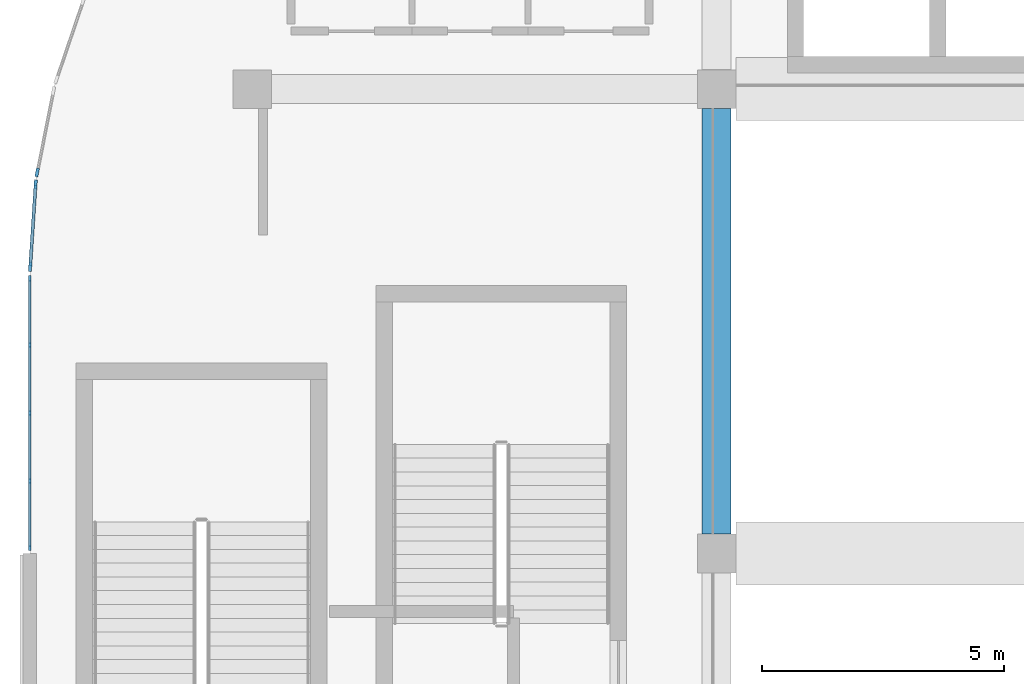
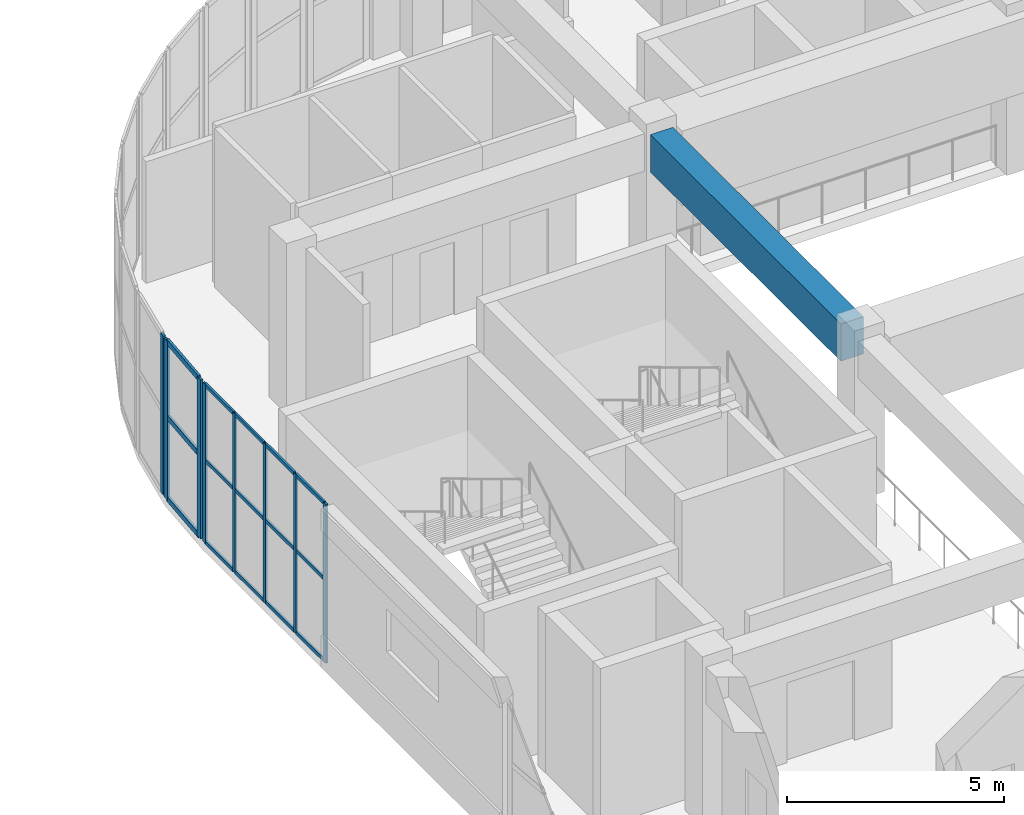
# One storey, part 5 of 33: 23 members, 1 beam, 3 elements without a shape of their own.
"""IFC4 building model written with IfcOpenShell, lengths in metres."""

from ifc_helpers import new_model, si_unit, direction, frame, origin, origin_2d, place, context, subcontext, project, spatial, rectangle, extrude, material, layer, layer_set, material_profile, profile_set, type_object, element, aggregate, save


model = new_model("IFC4")

# Units and contexts
model_context = context("Model", 3, precision=1e-05, world=origin(), true_north=direction((0.0, 1.0)))
body_context = subcontext(model_context, "Body", "Model", "MODEL_VIEW")
ifc_project = project(units=[si_unit("LENGTHUNIT", "METRE"), si_unit("AREAUNIT", "SQUARE_METRE"), si_unit("VOLUMEUNIT", "CUBIC_METRE"), si_unit("PLANEANGLEUNIT", "RADIAN"), si_unit("MASSUNIT", "GRAM", prefix="KILO")], contexts=[model_context])

# Site, building, storey
site_placement = place(None, origin())
site = spatial("IfcSite", under=ifc_project, at=site_placement, CompositionType="ELEMENT")
building_placement = place(site_placement, origin())
building = spatial("IfcBuilding", under=site, at=building_placement, Name="Cendralis Terraced Arcade", CompositionType="ELEMENT")
storey_placement = place(building_placement, frame((0.0, 0.0, 19.800048828125)))
storey = spatial("IfcBuildingStorey", under=building, at=storey_placement, Name="L04", CompositionType="ELEMENT", Elevation=19.800048828125)

# Beam
ifc_material_1 = material(Name="Concrete f'c 35 MPa", Category="concrete")
ifc_material_profile_1 = material_profile(ifc_material_1, rectangle(XDim=0.60009765625, YDim=1.050048828125, at=origin_2d()), Name="RC-BM-600x1050", Category="LoadBearing")
ifc_profile_set_1 = profile_set([ifc_material_profile_1], Name="Concrete f'c 35 MPa")
beam_type = type_object("IfcBeamType", Name="BM-600x1050", PredefinedType="JOIST", material=ifc_profile_set_1)
beam_placement = place(storey_placement, frame((19.199951171875, 29.199951171875, 3.954833984375), z_axis=(0.0, 1.0, 0.0), x_axis=(-1.0, 0.0, 0.0)))
element("IfcBeam", 1, at=beam_placement, inside=storey, type_object=beam_type, Name="Reinforced Concrete Frame Beam BM-Y-L05-3-D_E", PredefinedType="JOIST", context=body_context, shape_type="SweptSolid", body=[
    extrude(rectangle(XDim=0.60009765625, YDim=1.050048828125, at=origin_2d()), origin(), (0.0, 0.0, 1.0), 8.800048828125),
])

# Curtain wall, members
ifc_material_2 = material(Name="Anodised aluminium EN AW-6063 T6", Category="aluminium")
ifc_layer_1 = layer(ifc_material_2, 0.1201171875, Name="CW-STORE-B")
ifc_layer_set_1 = layer_set([ifc_layer_1], Name="Anodised aluminium EN AW-6063 T6")
curtain_wall_type_1 = type_object("IfcCurtainWallType", Name="CW-STORE-B", PredefinedType="USERDEFINED", material=ifc_layer_set_1)
curtain_wall_1_placement = place(storey_placement, origin())
curtain_wall_1 = element("IfcCurtainWall", 2, at=curtain_wall_1_placement, inside=storey, type_object=curtain_wall_type_1, Name="Exterior Storefront Glazing CW-L04-0364", ObjectType="STOREFRONT GLAZING", PredefinedType="USERDEFINED")
ifc_material_profile_2 = material_profile(ifc_material_2, rectangle(XDim=0.054931640625, YDim=0.1201171875, at=origin_2d()), Name="ALU-MUL-55x120")
ifc_profile_set_2 = profile_set([ifc_material_profile_2], Name="Anodised aluminium EN AW-6063 T6")
member_type_1 = type_object("IfcMemberType", Name="CW-STORE-B-MUL", PredefinedType="MULLION", material=ifc_profile_set_2)
member_1_placement = place(storey_placement, frame((5.0, 28.91748046875, 0.0), z_axis=(0.0, 0.0, 1.0), x_axis=(-1.0, 0.0, 0.0)))
member_1 = element("IfcMember", 3, at=member_1_placement, type_object=member_type_1, Name="CW-S2 mullion 1", PredefinedType="MULLION", context=body_context, shape_type="SweptSolid", body=[
    extrude(rectangle(XDim=0.054931640625, YDim=0.1201171875, at=origin_2d()), origin(), (0.0, 0.0, 1.0), 4.47998046875),
])
member_2_placement = place(storey_placement, frame((5.0, 30.294921875, 0.0), z_axis=(0.0, 0.0, 1.0), x_axis=(-1.0, 0.0, 0.0)))
member_2 = element("IfcMember", 4, at=member_2_placement, type_object=member_type_1, Name="CW-S2 mullion 2", PredefinedType="MULLION", context=body_context, shape_type="SweptSolid", body=[
    extrude(rectangle(XDim=0.054931640625, YDim=0.1201171875, at=origin_2d()), origin(), (0.0, 0.0, 1.0), 4.47998046875),
])
member_3_placement = place(storey_placement, frame((5.0, 31.699951171875, 0.0), z_axis=(0.0, 0.0, 1.0), x_axis=(-1.0, 0.0, 0.0)))
member_3 = element("IfcMember", 5, at=member_3_placement, type_object=member_type_1, Name="CW-S2 mullion 3", PredefinedType="MULLION", context=body_context, shape_type="SweptSolid", body=[
    extrude(rectangle(XDim=0.054931640625, YDim=0.1201171875, at=origin_2d()), origin(), (0.0, 0.0, 1.0), 4.47998046875),
])
member_4_placement = place(storey_placement, frame((5.0, 33.10498046875, 0.0), z_axis=(0.0, 0.0, 1.0), x_axis=(-1.0, 0.0, 0.0)))
member_4 = element("IfcMember", 6, at=member_4_placement, type_object=member_type_1, Name="CW-S2 mullion 4", PredefinedType="MULLION", context=body_context, shape_type="SweptSolid", body=[
    extrude(rectangle(XDim=0.054931640625, YDim=0.1201171875, at=origin_2d()), origin(), (0.0, 0.0, 1.0), 4.47998046875),
])
member_5_placement = place(storey_placement, frame((5.0, 34.482421875, 0.0), z_axis=(0.0, 0.0, 1.0), x_axis=(-1.0, 0.0, 0.0)))
member_5 = element("IfcMember", 7, at=member_5_placement, type_object=member_type_1, Name="CW-S2 mullion 5", PredefinedType="MULLION", context=body_context, shape_type="SweptSolid", body=[
    extrude(rectangle(XDim=0.054931640625, YDim=0.1201171875, at=origin_2d()), origin(), (0.0, 0.0, 1.0), 4.47998046875),
])
ifc_material_profile_3 = material_profile(ifc_material_2, rectangle(XDim=0.054931640625, YDim=0.10009765625, at=origin_2d()), Name="ALU-TRN-55x100")
ifc_profile_set_3 = profile_set([ifc_material_profile_3], Name="Anodised aluminium EN AW-6063 T6")
member_type_2 = type_object("IfcMemberType", Name="CW-STORE-B-TRN", PredefinedType="USERDEFINED", material=ifc_profile_set_3)
member_6_placement = place(storey_placement, frame((5.0, 28.945068359375, 0.02734375), z_axis=(0.0, 1.0, 0.0), x_axis=(-1.0, 0.0, 0.0)))
member_6 = element("IfcMember", 8, at=member_6_placement, type_object=member_type_2, Name="CW-S2 transom 1.1", ObjectType="TRANSOM", PredefinedType="USERDEFINED", context=body_context, shape_type="SweptSolid", body=[
    extrude(rectangle(XDim=0.054931640625, YDim=0.10009765625, at=origin_2d()), origin(), (0.0, 0.0, 1.0), 1.322509765625),
])
member_7_placement = place(storey_placement, frame((5.0, 28.945068359375, 2.32958984375), z_axis=(0.0, 1.0, 0.0), x_axis=(-1.0, 0.0, 0.0)))
member_7 = element("IfcMember", 9, at=member_7_placement, type_object=member_type_2, Name="CW-S2 transom 1.2", ObjectType="TRANSOM", PredefinedType="USERDEFINED", context=body_context, shape_type="SweptSolid", body=[
    extrude(rectangle(XDim=0.054931640625, YDim=0.10009765625, at=origin_2d()), origin(), (0.0, 0.0, 1.0), 1.322509765625),
])
member_8_placement = place(storey_placement, frame((5.0, 28.945068359375, 4.452392578125), z_axis=(0.0, 1.0, 0.0), x_axis=(-1.0, 0.0, 0.0)))
member_8 = element("IfcMember", 10, at=member_8_placement, type_object=member_type_2, Name="CW-S2 transom 1.3", ObjectType="TRANSOM", PredefinedType="USERDEFINED", context=body_context, shape_type="SweptSolid", body=[
    extrude(rectangle(XDim=0.054931640625, YDim=0.10009765625, at=origin_2d()), origin(), (0.0, 0.0, 1.0), 1.322509765625),
])
member_9_placement = place(storey_placement, frame((5.0, 30.322509765625, 0.02734375), z_axis=(0.0, 1.0, 0.0), x_axis=(-1.0, 0.0, 0.0)))
member_9 = element("IfcMember", 11, at=member_9_placement, type_object=member_type_2, Name="CW-S2 transom 2.1", ObjectType="TRANSOM", PredefinedType="USERDEFINED", context=body_context, shape_type="SweptSolid", body=[
    extrude(rectangle(XDim=0.054931640625, YDim=0.10009765625, at=origin_2d()), origin(), (0.0, 0.0, 1.0), 1.35009765625),
])
member_10_placement = place(storey_placement, frame((5.0, 30.322509765625, 2.32958984375), z_axis=(0.0, 1.0, 0.0), x_axis=(-1.0, 0.0, 0.0)))
member_10 = element("IfcMember", 12, at=member_10_placement, type_object=member_type_2, Name="CW-S2 transom 2.2", ObjectType="TRANSOM", PredefinedType="USERDEFINED", context=body_context, shape_type="SweptSolid", body=[
    extrude(rectangle(XDim=0.054931640625, YDim=0.10009765625, at=origin_2d()), origin(), (0.0, 0.0, 1.0), 1.35009765625),
])
member_11_placement = place(storey_placement, frame((5.0, 30.322509765625, 4.452392578125), z_axis=(0.0, 1.0, 0.0), x_axis=(-1.0, 0.0, 0.0)))
member_11 = element("IfcMember", 13, at=member_11_placement, type_object=member_type_2, Name="CW-S2 transom 2.3", ObjectType="TRANSOM", PredefinedType="USERDEFINED", context=body_context, shape_type="SweptSolid", body=[
    extrude(rectangle(XDim=0.054931640625, YDim=0.10009765625, at=origin_2d()), origin(), (0.0, 0.0, 1.0), 1.35009765625),
])
member_12_placement = place(storey_placement, frame((5.0, 31.7275390625, 0.02734375), z_axis=(0.0, 1.0, 0.0), x_axis=(-1.0, 0.0, 0.0)))
member_12 = element("IfcMember", 14, at=member_12_placement, type_object=member_type_2, Name="CW-S2 transom 3.1", ObjectType="TRANSOM", PredefinedType="USERDEFINED", context=body_context, shape_type="SweptSolid", body=[
    extrude(rectangle(XDim=0.054931640625, YDim=0.10009765625, at=origin_2d()), origin(), (0.0, 0.0, 1.0), 1.349853515625),
])
member_13_placement = place(storey_placement, frame((5.0, 31.7275390625, 2.32958984375), z_axis=(0.0, 1.0, 0.0), x_axis=(-1.0, 0.0, 0.0)))
member_13 = element("IfcMember", 15, at=member_13_placement, type_object=member_type_2, Name="CW-S2 transom 3.2", ObjectType="TRANSOM", PredefinedType="USERDEFINED", context=body_context, shape_type="SweptSolid", body=[
    extrude(rectangle(XDim=0.054931640625, YDim=0.10009765625, at=origin_2d()), origin(), (0.0, 0.0, 1.0), 1.349853515625),
])
member_14_placement = place(storey_placement, frame((5.0, 31.7275390625, 4.452392578125), z_axis=(0.0, 1.0, 0.0), x_axis=(-1.0, 0.0, 0.0)))
member_14 = element("IfcMember", 16, at=member_14_placement, type_object=member_type_2, Name="CW-S2 transom 3.3", ObjectType="TRANSOM", PredefinedType="USERDEFINED", context=body_context, shape_type="SweptSolid", body=[
    extrude(rectangle(XDim=0.054931640625, YDim=0.10009765625, at=origin_2d()), origin(), (0.0, 0.0, 1.0), 1.349853515625),
])
member_15_placement = place(storey_placement, frame((5.0, 33.132568359375, 0.02734375), z_axis=(0.0, 1.0, 0.0), x_axis=(-1.0, 0.0, 0.0)))
member_15 = element("IfcMember", 17, at=member_15_placement, type_object=member_type_2, Name="CW-S2 transom 4.1", ObjectType="TRANSOM", PredefinedType="USERDEFINED", context=body_context, shape_type="SweptSolid", body=[
    extrude(rectangle(XDim=0.054931640625, YDim=0.10009765625, at=origin_2d()), origin(), (0.0, 0.0, 1.0), 1.322509765625),
])
member_16_placement = place(storey_placement, frame((5.0, 33.132568359375, 2.32958984375), z_axis=(0.0, 1.0, 0.0), x_axis=(-1.0, 0.0, 0.0)))
member_16 = element("IfcMember", 18, at=member_16_placement, type_object=member_type_2, Name="CW-S2 transom 4.2", ObjectType="TRANSOM", PredefinedType="USERDEFINED", context=body_context, shape_type="SweptSolid", body=[
    extrude(rectangle(XDim=0.054931640625, YDim=0.10009765625, at=origin_2d()), origin(), (0.0, 0.0, 1.0), 1.322509765625),
])
member_17_placement = place(storey_placement, frame((5.0, 33.132568359375, 4.452392578125), z_axis=(0.0, 1.0, 0.0), x_axis=(-1.0, 0.0, 0.0)))
member_17 = element("IfcMember", 19, at=member_17_placement, type_object=member_type_2, Name="CW-S2 transom 4.3", ObjectType="TRANSOM", PredefinedType="USERDEFINED", context=body_context, shape_type="SweptSolid", body=[
    extrude(rectangle(XDim=0.054931640625, YDim=0.10009765625, at=origin_2d()), origin(), (0.0, 0.0, 1.0), 1.322509765625),
])
aggregate(curtain_wall_1, [member_1, member_2, member_3, member_4, member_5, member_6, member_7, member_8, member_9, member_10, member_11, member_12, member_13, member_14, member_15, member_16, member_17])

ifc_layer_2 = layer(ifc_material_2, 0.179931640625, Name="CW-UNIT-A")
ifc_layer_set_2 = layer_set([ifc_layer_2], Name="Anodised aluminium EN AW-6063 T6")
curtain_wall_type_2 = type_object("IfcCurtainWallType", Name="CW-UNIT-A", PredefinedType="USERDEFINED", material=ifc_layer_set_2)
curtain_wall_2_placement = place(storey_placement, origin())
curtain_wall_2 = element("IfcCurtainWall", 20, at=curtain_wall_2_placement, inside=storey, type_object=curtain_wall_type_2, Name="Exterior Unitised Facade CW-L04-0337", ObjectType="UNITISED FACADE", PredefinedType="USERDEFINED")
ifc_material_profile_4 = material_profile(ifc_material_2, rectangle(XDim=0.06494140625, YDim=0.179931640625, at=origin_2d()), Name="ALU-MUL-65x180")
ifc_profile_set_4 = profile_set([ifc_material_profile_4], Name="Anodised aluminium EN AW-6063 T6")
member_type_3 = type_object("IfcMemberType", Name="CW-UNIT-A-MUL", PredefinedType="MULLION", material=ifc_profile_set_4)
member_18_placement = place(storey_placement, frame((5.008056640625, 34.72216796875, 0.0), z_axis=(0.0, 0.0, 1.0), x_axis=(-0.997860971336, 0.065371873798, 0.0)))
member_18 = element("IfcMember", 21, at=member_18_placement, type_object=member_type_3, Name="CW-U1 mullion 1", PredefinedType="MULLION", context=body_context, shape_type="SweptSolid", body=[
    extrude(rectangle(XDim=0.06494140625, YDim=0.179931640625, at=origin_2d()), origin(), (0.0, 0.0, 1.0), 4.47998046875),
])
member_19_placement = place(storey_placement, frame((5.120361328125, 36.435791015625, 0.0), z_axis=(0.0, 0.0, 1.0), x_axis=(-0.997860971336, 0.065371873798, 0.0)))
member_19 = element("IfcMember", 22, at=member_19_placement, type_object=member_type_3, Name="CW-U1 mullion 2", PredefinedType="MULLION", context=body_context, shape_type="SweptSolid", body=[
    extrude(rectangle(XDim=0.06494140625, YDim=0.179931640625, at=origin_2d()), origin(), (0.0, 0.0, 1.0), 4.47998046875),
])

# Curtain wall, member
curtain_wall_3_placement = place(storey_placement, origin())
curtain_wall_3 = element("IfcCurtainWall", 23, at=curtain_wall_3_placement, inside=storey, type_object=curtain_wall_type_2, Name="Exterior Unitised Facade CW-L04-0338", ObjectType="UNITISED FACADE", PredefinedType="USERDEFINED")
member_20_placement = place(storey_placement, frame((5.15234375, 36.677978515625, 0.0), z_axis=(0.0, 0.0, 1.0), x_axis=(-0.980791618721, 0.195058454434, 0.0)))
member_20 = element("IfcMember", 24, at=member_20_placement, type_object=member_type_3, Name="CW-U1 mullion 1", PredefinedType="MULLION", context=body_context, shape_type="SweptSolid", body=[
    extrude(rectangle(XDim=0.06494140625, YDim=0.179931640625, at=origin_2d()), origin(), (0.0, 0.0, 1.0), 4.47998046875),
])
aggregate(curtain_wall_3, [member_20])

# Member
ifc_material_profile_5 = material_profile(ifc_material_2, rectangle(XDim=0.06494140625, YDim=0.14990234375, at=origin_2d()), Name="ALU-TRN-65x150")
ifc_profile_set_5 = profile_set([ifc_material_profile_5], Name="Anodised aluminium EN AW-6063 T6")
member_type_4 = type_object("IfcMemberType", Name="CW-UNIT-A-TRN", PredefinedType="USERDEFINED", material=ifc_profile_set_5)
member_21_placement = place(storey_placement, frame((5.01025390625, 34.754638671875, 0.032470703125), z_axis=(0.065312640858, 0.997864850039, 0.0), x_axis=(-0.997864850039, 0.065312640858, 0.0)))
member_21 = element("IfcMember", 25, at=member_21_placement, type_object=member_type_4, Name="CW-U1 transom 1.1", ObjectType="TRANSOM", PredefinedType="USERDEFINED", context=body_context, shape_type="SweptSolid", body=[
    extrude(rectangle(XDim=0.06494140625, YDim=0.14990234375, at=origin_2d()), origin(), (0.0, 0.0, 1.0), 1.652099609375),
])

member_22_placement = place(storey_placement, frame((5.01025390625, 34.754638671875, 2.32958984375), z_axis=(0.065312640858, 0.997864850039, 0.0), x_axis=(-0.997864850039, 0.065312640858, 0.0)))
member_22 = element("IfcMember", 26, at=member_22_placement, type_object=member_type_4, Name="CW-U1 transom 1.2", ObjectType="TRANSOM", PredefinedType="USERDEFINED", context=body_context, shape_type="SweptSolid", body=[
    extrude(rectangle(XDim=0.06494140625, YDim=0.14990234375, at=origin_2d()), origin(), (0.0, 0.0, 1.0), 1.652099609375),
])

member_23_placement = place(storey_placement, frame((5.01025390625, 34.754638671875, 4.447509765625), z_axis=(0.065312640858, 0.997864850039, 0.0), x_axis=(-0.997864850039, 0.065312640858, 0.0)))
member_23 = element("IfcMember", 27, at=member_23_placement, type_object=member_type_4, Name="CW-U1 transom 1.3", ObjectType="TRANSOM", PredefinedType="USERDEFINED", context=body_context, shape_type="SweptSolid", body=[
    extrude(rectangle(XDim=0.06494140625, YDim=0.14990234375, at=origin_2d()), origin(), (0.0, 0.0, 1.0), 1.652099609375),
])

aggregate(curtain_wall_2, [member_18, member_19, member_21, member_22, member_23])

save(model, "model.ifc")
